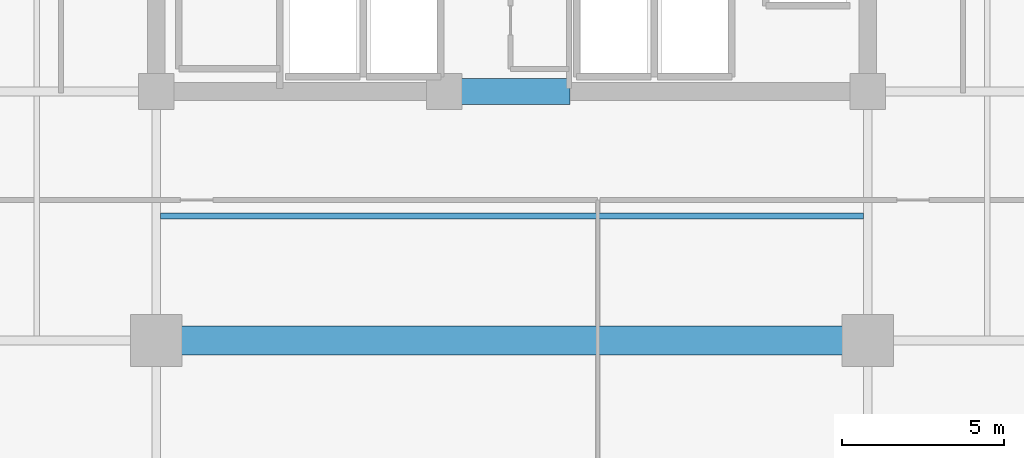
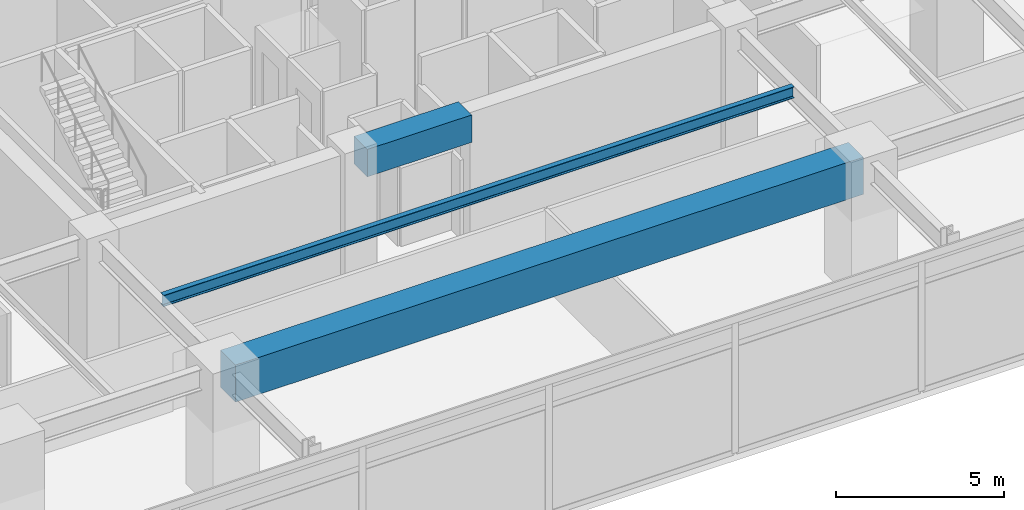
# One storey, part 5 of 20: 3 beams.
"""IFC4 building model written with IfcOpenShell, lengths in metres."""

from ifc_helpers import new_model, si_unit, direction, frame, origin, origin_2d, place, context, subcontext, project, spatial, rectangle, i_section, extrude, material, material_profile, profile_set, type_object, element, save


model = new_model("IFC4")

# Units and contexts
model_context = context("Model", 3, precision=1e-05, world=origin(), true_north=direction((0.0, 1.0)))
body_context = subcontext(model_context, "Body", "Model", "MODEL_VIEW")
ifc_project = project(units=[si_unit("LENGTHUNIT", "METRE"), si_unit("AREAUNIT", "SQUARE_METRE"), si_unit("VOLUMEUNIT", "CUBIC_METRE"), si_unit("PLANEANGLEUNIT", "RADIAN"), si_unit("MASSUNIT", "GRAM", prefix="KILO")], contexts=[model_context])

# Site, building, storey
site_placement = place(None, origin())
site = spatial("IfcSite", under=ifc_project, at=site_placement, CompositionType="ELEMENT")
building_placement = place(site_placement, origin())
building = spatial("IfcBuilding", under=site, at=building_placement, Name="Kovane Verandah Tower", CompositionType="ELEMENT")
storey_placement = place(building_placement, frame((0.0, 0.0, 123.39990234375)))
storey = spatial("IfcBuildingStorey", under=building, at=storey_placement, Name="L28", CompositionType="ELEMENT", Elevation=123.39990234375)

# Beams
ifc_material_1 = material(Name="Concrete C60/75", Category="concrete")
ifc_material_profile_1 = material_profile(ifc_material_1, rectangle(XDim=0.800048828125, YDim=1.0, at=origin_2d()), Name="RCB800x1000")
ifc_profile_set_1 = profile_set([ifc_material_profile_1], Name="Concrete C60/75")
beam_type_1 = type_object("IfcBeamType", Name="BM-LINTEL-800x1000", PredefinedType="LINTEL", material=ifc_profile_set_1)
beam_1_placement = place(storey_placement, frame((38.199951171875, 18.5, 4.275146484375), z_axis=(1.0, 0.0, 0.0), x_axis=(0.0, 1.0, 0.0)))
element("IfcBeam", 1, at=beam_1_placement, inside=storey, type_object=beam_type_1, Name="L28 Core Coupling Lintel CL-S", PredefinedType="LINTEL", context=body_context, shape_type="SweptSolid", body=[
    extrude(rectangle(XDim=0.800048828125, YDim=1.0, at=origin_2d()), origin(), (0.0, 0.0, 1.0), 3.60009765625),
])
ifc_material_2 = material(Name="Concrete C80/95", Category="concrete")
ifc_material_profile_2 = material_profile(ifc_material_2, rectangle(XDim=0.89990234375, YDim=1.35009765625, at=origin_2d()), Name="RCB900x1350")
ifc_profile_set_2 = profile_set([ifc_material_profile_2], Name="Concrete C80/95")
beam_type_2 = type_object("IfcBeamType", Name="BM-TR-900x1350", PredefinedType="BEAM", material=ifc_profile_set_2)
beam_2_placement = place(storey_placement, frame((29.179931640625, 10.800048828125, 4.10009765625), z_axis=(1.0, 0.0, 0.0), x_axis=(0.0, 1.0, 0.0)))
element("IfcBeam", 2, at=beam_2_placement, inside=storey, type_object=beam_type_2, Name="L28 Primary Tower Girder G-RS2", PredefinedType="BEAM", context=body_context, shape_type="SweptSolid", body=[
    extrude(rectangle(XDim=0.89990234375, YDim=1.35009765625, at=origin_2d()), origin(), (0.0, 0.0, 1.0), 21.64013671875),
])
ifc_material_3 = material(Name="Steel S355", Category="steel")
ifc_material_profile_3 = material_profile(ifc_material_3, i_section(OverallWidth=0.179443359375, OverallDepth=0.412841796875, WebThickness=0.009521484375, FlangeThickness=0.01611328125, FilletRadius=0.01025390625, at=origin_2d()), Name="UB406x178x74")
ifc_profile_set_3 = profile_set([ifc_material_profile_3], Name="Steel S355")
beam_type_3 = type_object("IfcBeamType", Name="JST-UB406x74", PredefinedType="JOIST", material=ifc_profile_set_3)
beam_3_placement = place(storey_placement, frame((29.132080078125, 14.64990234375, 4.568603515625), z_axis=(1.0, 0.0, 0.0), x_axis=(0.0, 1.0, 0.0)))
element("IfcBeam", 3, at=beam_3_placement, inside=storey, type_object=beam_type_3, Name="L28 Secondary Composite Joist J-S1", PredefinedType="JOIST", context=body_context, shape_type="SweptSolid", body=[
    extrude(i_section(OverallWidth=0.179443359375, OverallDepth=0.412841796875, WebThickness=0.009521484375, FlangeThickness=0.01611328125, FilletRadius=0.01025390625, at=origin_2d()), origin(), (0.0, 0.0, 1.0), 21.73583984375),
])

save(model, "model.ifc")
